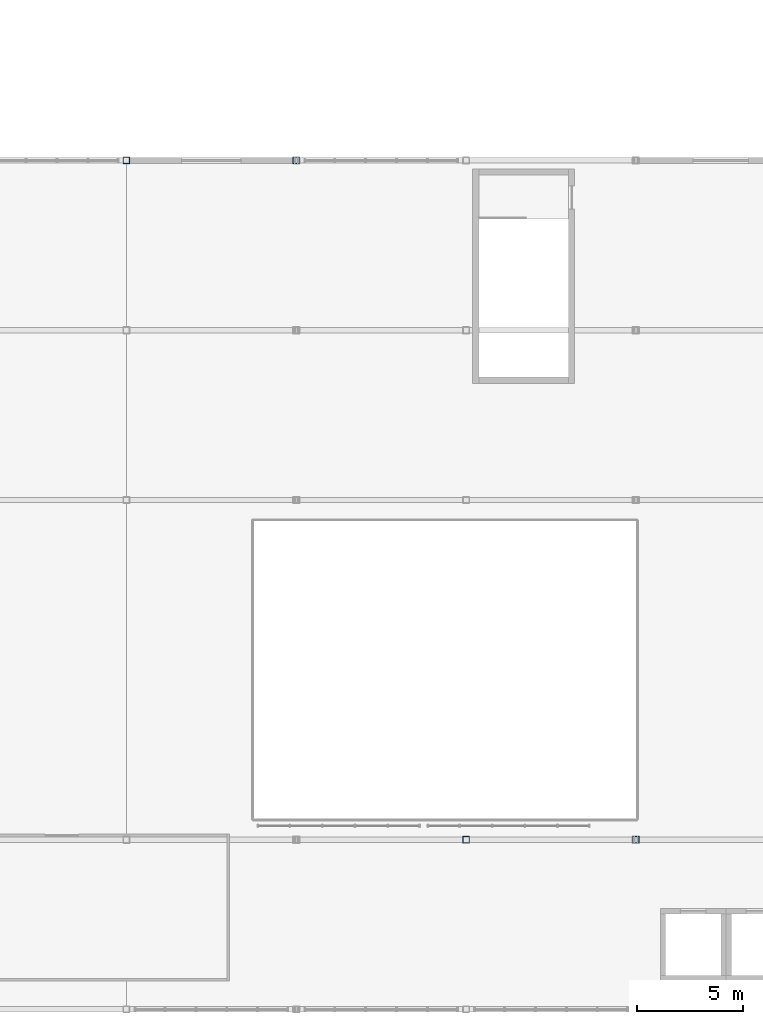
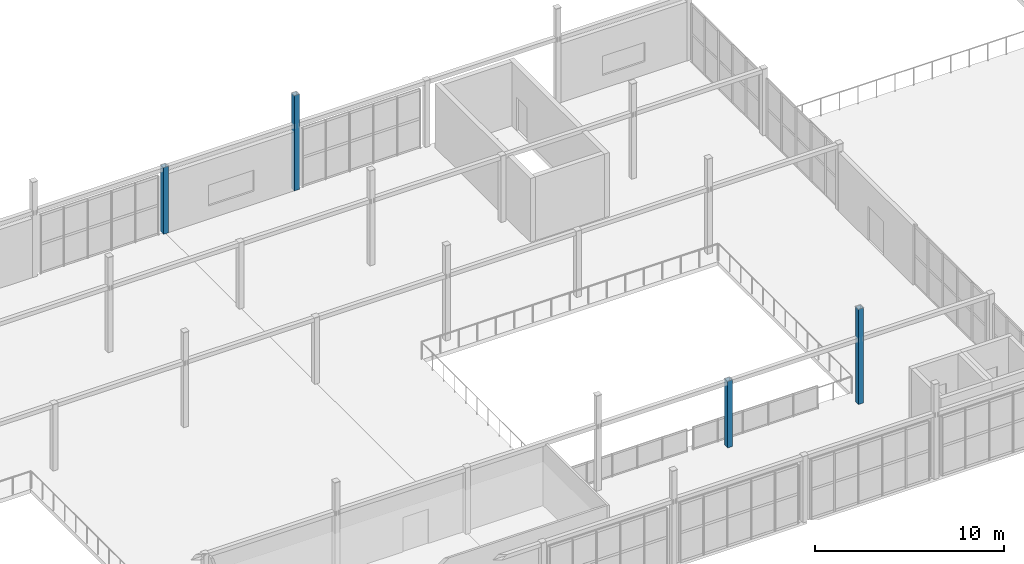
# One storey, part 8 of 83: 4 columns.
"""IFC4 building model written with IfcOpenShell, lengths in metres."""

import ifcopenshell
import ifcopenshell.guid

model = None  # the IFC model being written
_history = None  # IfcOwnerHistory: only IFC2X3 demands one
_inside = {}  # id of a spatial element -> (the spatial element, [elements in it])
_under = {}  # id of a project, library or spatial element -> (it, [spatial elements below it])
_declared = {}  # id of a project -> (the project, [libraries it declares])
_typed = {}  # id of a type object -> (the type object, [elements of that type])
_made_of = {}  # id of a material, layer set ... -> (it, [elements and type objects made of it])


def new_model(schema):
    """Start an empty IFC model of exactly this schema.

    Asked for "IFC4X3", IfcOpenShell would pick the latest addendum, in which some entities
    have other attributes; the version numbers below select the first issue.
    IFC2X3 requires an IfcOwnerHistory on every rooted entity: one is made here for all.
    """
    global model, _history
    if schema == "IFC4X3":
        model = ifcopenshell.file(schema_version=(4, 3, 0, 0))
    else:
        model = ifcopenshell.file(schema=schema)
    _inside.clear()
    _under.clear()
    _declared.clear()
    _typed.clear()
    _made_of.clear()
    _history = None
    if model.schema == "IFC2X3":
        org = make("IfcOrganization", Name="unknown")
        user = make(
            "IfcPersonAndOrganization",
            ThePerson=make("IfcPerson", FamilyName="unknown"),
            TheOrganization=org,
        )
        app = make(
            "IfcApplication",
            ApplicationDeveloper=org,
            Version="unknown",
            ApplicationFullName="unknown",
            ApplicationIdentifier="unknown",
        )
        _history = make(
            "IfcOwnerHistory",
            OwningUser=user,
            OwningApplication=app,
            ChangeAction="ADDED",
            CreationDate=0,
        )
    return model


def make(cls, **values):
    """One entity of the class cls with the attributes given. An attribute that is None is left unset."""
    return model.create_entity(
        cls, **{name: value for name, value in values.items() if value is not None}
    )


def rooted(cls, **values):
    """An entity with a GlobalId (a new one), such as an element, a storey or a relation."""
    return make(cls, GlobalId=ifcopenshell.guid.new(), OwnerHistory=_history, **values)


def si_unit(unit_type, name, prefix=None):
    """IfcSIUnit, for example si_unit("LENGTHUNIT", "METRE", prefix="MILLI")."""
    return make("IfcSIUnit", UnitType=unit_type, Prefix=prefix, Name=name)


def assignment(units):
    """IfcUnitAssignment: the units of a project."""
    return None if units is None else make("IfcUnitAssignment", Units=units)


def point(xyz):
    """IfcCartesianPoint."""
    return None if xyz is None else make("IfcCartesianPoint", Coordinates=xyz)


def direction(xyz):
    """IfcDirection."""
    return None if xyz is None else make("IfcDirection", DirectionRatios=xyz)


def frame(location, z_axis=None, x_axis=None):
    """IfcAxis2Placement3D, a coordinate frame: its origin and axes. An axis left out is left unset."""
    return make(
        "IfcAxis2Placement3D",
        Location=point(location),
        Axis=direction(z_axis),
        RefDirection=direction(x_axis),
    )


def frame_2d(location, x_axis=None):
    """IfcAxis2Placement2D, a coordinate frame in the plane: its origin and x axis."""
    return make(
        "IfcAxis2Placement2D", Location=point(location), RefDirection=direction(x_axis)
    )


def origin():
    """The frame at (0, 0, 0) with its axes left unset."""
    return frame((0.0, 0.0, 0.0))


def origin_2d():
    """The frame at (0, 0) in the plane with its x axis left unset."""
    return frame_2d((0.0, 0.0))


def place(relative_to, where):
    """IfcLocalPlacement: puts the frame where relative to a parent placement (None: the world)."""
    return make(
        "IfcLocalPlacement", PlacementRelTo=relative_to, RelativePlacement=where
    )


def context(
    kind, dimensions, precision=None, world=None, true_north=None, identifier=None
):
    """IfcGeometricRepresentationContext, for example the 3D "Model" context."""
    return make(
        "IfcGeometricRepresentationContext",
        ContextIdentifier=identifier,
        ContextType=kind,
        CoordinateSpaceDimension=dimensions,
        Precision=precision,
        WorldCoordinateSystem=world,
        TrueNorth=true_north,
    )


def subcontext(parent, identifier, kind, view, scale=None):
    """IfcGeometricRepresentationSubContext, for example "Body" below "Model"."""
    return make(
        "IfcGeometricRepresentationSubContext",
        ContextIdentifier=identifier,
        ContextType=kind,
        ParentContext=parent,
        TargetScale=scale,
        TargetView=view,
    )


def project(units=None, contexts=None):
    """IfcProject with its units and contexts."""
    return rooted(
        "IfcProject",
        Name="project",
        RepresentationContexts=contexts,
        UnitsInContext=assignment(units),
    )


def spatial(cls, under=None, at=None, **own):
    """A site, building, storey or space (cls), placed at a placement, below another one or the project."""
    s = rooted(cls, ObjectPlacement=at, **own)
    if under is not None:
        _under.setdefault(under.id(), (under, []))[1].append(s)
    return s


def profile(cls, at=None, kind="AREA", **sizes):
    """A parametric profile (cls). Its sizes go by their IFC names, for example OverallWidth=200.0."""
    return make(cls, ProfileType=kind, Position=at, **sizes)


def hollow_rectangle(**sizes):
    """IfcRectangleHollowProfileDef."""
    return profile("IfcRectangleHollowProfileDef", **sizes)


def extrude(swept, where, along, depth):
    """IfcExtrudedAreaSolid: the profile swept, set in the frame where, extruded along a direction by depth."""
    return make(
        "IfcExtrudedAreaSolid",
        SweptArea=swept,
        Position=where,
        ExtrudedDirection=direction(along),
        Depth=depth,
    )


def shape(context_of_items, identifier, shape_type, items):
    """IfcShapeRepresentation: the items that make up one representation, for example the "Body"."""
    return make(
        "IfcShapeRepresentation",
        ContextOfItems=context_of_items,
        RepresentationIdentifier=identifier,
        RepresentationType=shape_type,
        Items=items,
    )


def material(Name=None, Category=None):
    """IfcMaterial."""
    return make("IfcMaterial", Name=Name, Category=Category)


def material_profile(
    of_material, cross_section, Name=None, Category=None, Priority=None
):
    """IfcMaterialProfile: a cross section and its material."""
    return make(
        "IfcMaterialProfile",
        Name=Name,
        Material=of_material,
        Profile=cross_section,
        Priority=Priority,
        Category=Category,
    )


def profile_set(profiles, Name=None, composite=None):
    """IfcMaterialProfileSet."""
    return make(
        "IfcMaterialProfileSet",
        Name=Name,
        MaterialProfiles=profiles,
        CompositeProfile=composite,
    )


def made_of(thing, what):
    """Note that an element or type object is made of a material, layer set ...; save() writes the relation."""
    if what is not None:
        _made_of.setdefault(what.id(), (what, []))[1].append(thing)
    return thing


def type_object(cls, material=None, **own):
    """A type object (cls), such as IfcWallType, which elements share."""
    return made_of(rooted(cls, **own), material)


def element(
    cls,
    number,
    at=None,
    inside=None,
    cuts=None,
    type_object=None,
    material=None,
    context=None,
    identifier="Body",
    shape_type=None,
    held_by="IfcProductDefinitionShape",
    body=None,
    shapes=None,
    **own,
):
    """One element of the class cls, such as IfcWall. Its Tag is "e" and its number.

    at: its placement. inside: the storey or other place that contains it. cuts: it is an
    opening in that element (IfcRelVoidsElement). A single representation is given by context,
    identifier, shape_type and body (its items); several are given by shapes. held_by: the class
    of the entity that holds the representations. save() writes the other relations.
    """
    e = rooted(cls, Tag="e%d" % number, ObjectPlacement=at, **own)
    if body is not None:
        shapes = [shape(context, identifier, shape_type, body)]
    if shapes is not None:
        e.Representation = make(held_by, Representations=shapes)
    if inside is not None:
        _inside.setdefault(inside.id(), (inside, []))[1].append(e)
    if cuts is not None:
        rooted(
            "IfcRelVoidsElement", RelatingBuildingElement=cuts, RelatedOpeningElement=e
        )
    if type_object is not None:
        _typed.setdefault(type_object.id(), (type_object, []))[1].append(e)
    return made_of(e, material)


def aggregate(whole, parts):
    """IfcRelAggregates: a whole, such as a stair, and the parts it consists of."""
    return rooted("IfcRelAggregates", RelatingObject=whole, RelatedObjects=parts)


def save(model, path):
    """Write the relations noted so far, then the file.

    IfcRelAggregates (storeys below a building ...), IfcRelContainedInSpatialStructure (elements
    in a storey), IfcRelDefinesByType, IfcRelAssociatesMaterial and IfcRelDeclares: one each for
    every whole, place, type object, material and project.
    """
    for whole, parts in _under.values():
        aggregate(whole, parts)
    for where, things in _inside.values():
        rooted(
            "IfcRelContainedInSpatialStructure",
            RelatedElements=things,
            RelatingStructure=where,
        )
    for kind, things in _typed.values():
        rooted("IfcRelDefinesByType", RelatedObjects=things, RelatingType=kind)
    for what, things in _made_of.values():
        rooted("IfcRelAssociatesMaterial", RelatedObjects=things, RelatingMaterial=what)
    for by, libraries in _declared.values():
        rooted("IfcRelDeclares", RelatingContext=by, RelatedDefinitions=libraries)
    model.write(path)


model = new_model("IFC4")

# Units and contexts
model_context = context("Model", 3, precision=1e-05, world=origin(), true_north=direction((0.0, 1.0)))
body_context = subcontext(model_context, "Body", "Model", "MODEL_VIEW")
ifc_project = project(units=[si_unit("LENGTHUNIT", "METRE"), si_unit("AREAUNIT", "SQUARE_METRE"), si_unit("VOLUMEUNIT", "CUBIC_METRE"), si_unit("PLANEANGLEUNIT", "RADIAN"), si_unit("MASSUNIT", "GRAM", prefix="KILO")], contexts=[model_context])

# Site, building, storey
site_placement = place(None, origin())
site = spatial("IfcSite", under=ifc_project, at=site_placement, CompositionType="ELEMENT")
building_placement = place(site_placement, origin())
building = spatial("IfcBuilding", under=site, at=building_placement, Name="Drelvath Fold Interchange", CompositionType="ELEMENT")
storey_placement = place(building_placement, frame((0.0, 0.0, 11.199951171875)))
storey = spatial("IfcBuildingStorey", under=building, at=storey_placement, Name="L02", CompositionType="ELEMENT", Elevation=11.199951171875)

# Columns
ifc_material = material(Name="Steel ASTM A500 Grade C", Category="steel")
ifc_material_profile = material_profile(ifc_material, hollow_rectangle(XDim=0.304931640625, YDim=0.304931640625, WallThickness=0.01171875, at=origin_2d()), Name="HSS12X12X1/2")
ifc_profile_set = profile_set([ifc_material_profile], Name="Steel ASTM A500 Grade C")
column_type = type_object("IfcColumnType", Name="COL-HSS305", PredefinedType="COLUMN", material=ifc_profile_set)
column_1_placement = place(storey_placement, frame((52.0, 99.0, 0.0), z_axis=(0.0, 0.0, 1.0), x_axis=(1.0, 0.0, 0.0)))
element("IfcColumn", 1, at=column_1_placement, inside=storey, type_object=column_type, Name="L02 column (52,99)", PredefinedType="COLUMN", context=body_context, shape_type="SweptSolid", body=[
    extrude(hollow_rectangle(XDim=0.304931640625, YDim=0.304931640625, WallThickness=0.01171875, at=origin_2d()), origin(), (0.0, 0.0, 1.0), 4.300048828125),
])
column_2_placement = place(storey_placement, frame((60.0, 99.0, 0.0), z_axis=(0.0, 0.0, 1.0), x_axis=(1.0, 0.0, 0.0)))
element("IfcColumn", 2, at=column_2_placement, inside=storey, type_object=column_type, Name="L02 column (60,99)", PredefinedType="COLUMN", context=body_context, shape_type="SweptSolid", body=[
    extrude(hollow_rectangle(XDim=0.304931640625, YDim=0.304931640625, WallThickness=0.01171875, at=origin_2d()), origin(), (0.0, 0.0, 1.0), 6.150146484375),
])
column_3_placement = place(storey_placement, frame((68.0, 67.0, 0.0), z_axis=(0.0, 0.0, 1.0), x_axis=(1.0, 0.0, 0.0)))
element("IfcColumn", 3, at=column_3_placement, inside=storey, type_object=column_type, Name="L02 column (68,67)", PredefinedType="COLUMN", context=body_context, shape_type="SweptSolid", body=[
    extrude(hollow_rectangle(XDim=0.304931640625, YDim=0.304931640625, WallThickness=0.01171875, at=origin_2d()), origin(), (0.0, 0.0, 1.0), 4.300048828125),
])
column_4_placement = place(storey_placement, frame((76.0, 67.0, 0.0), z_axis=(0.0, 0.0, 1.0), x_axis=(1.0, 0.0, 0.0)))
element("IfcColumn", 4, at=column_4_placement, inside=storey, type_object=column_type, Name="L02 column (76,67)", PredefinedType="COLUMN", context=body_context, shape_type="SweptSolid", body=[
    extrude(hollow_rectangle(XDim=0.304931640625, YDim=0.304931640625, WallThickness=0.01171875, at=origin_2d()), origin(), (0.0, 0.0, 1.0), 6.150146484375),
])

save(model, "model.ifc")
